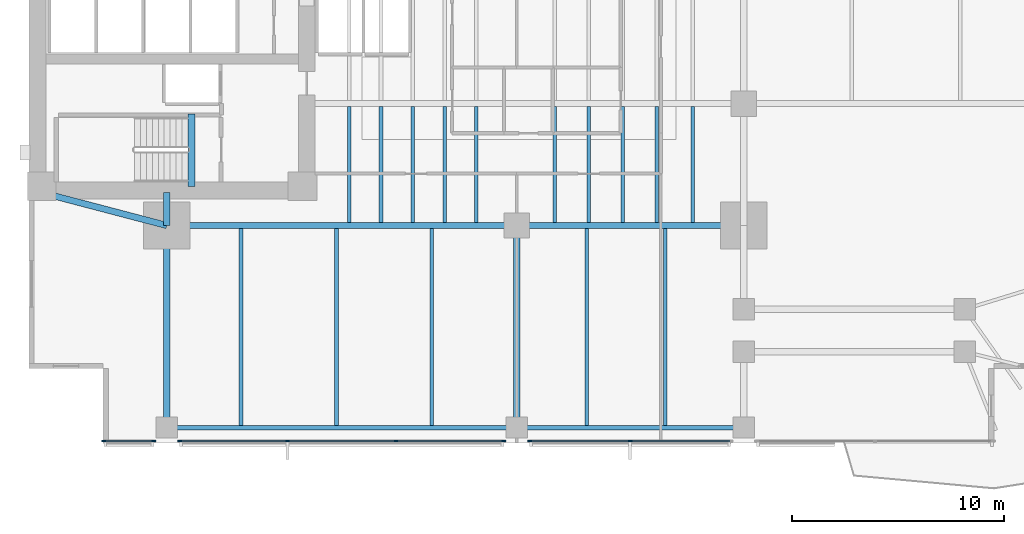
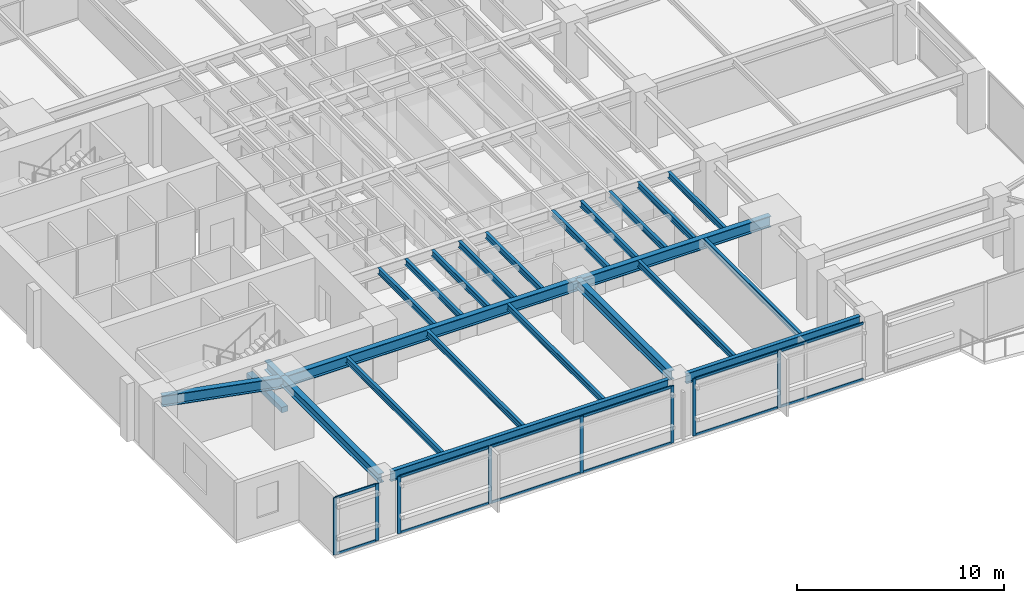
# One storey, part 2 of 15: 24 beams, 20 members, 3 elements without a shape of their own.
"""IFC4 building model written with IfcOpenShell, lengths in metres."""

from ifc_helpers import new_model, si_unit, direction, frame, origin, origin_2d, place, context, subcontext, project, spatial, rectangle, i_section, extrude, material, layer, layer_set, material_profile, profile_set, type_object, element, aggregate, save


model = new_model("IFC4")

# Units and contexts
model_context = context("Model", 3, precision=1e-05, world=origin(), true_north=direction((0.0, 1.0)))
body_context = subcontext(model_context, "Body", "Model", "MODEL_VIEW")
ifc_project = project(units=[si_unit("LENGTHUNIT", "METRE"), si_unit("AREAUNIT", "SQUARE_METRE"), si_unit("VOLUMEUNIT", "CUBIC_METRE"), si_unit("PLANEANGLEUNIT", "RADIAN"), si_unit("MASSUNIT", "GRAM", prefix="KILO")], contexts=[model_context])

# Site, building, storey
site_placement = place(None, origin())
site = spatial("IfcSite", under=ifc_project, at=site_placement, CompositionType="ELEMENT")
building_placement = place(site_placement, origin())
building = spatial("IfcBuilding", under=site, at=building_placement, Name="Kinhvarn Gate Tower", CompositionType="ELEMENT")
storey_placement = place(building_placement, frame((0.0, 0.0, 36.25)))
storey = spatial("IfcBuildingStorey", under=building, at=storey_placement, Name="L08", CompositionType="ELEMENT", Elevation=36.25)

# Beam
ifc_material_1 = material(Name="Concrete C50/60", Category="concrete")
ifc_material_profile_1 = material_profile(ifc_material_1, rectangle(XDim=0.340087890625, YDim=0.320068359375, at=origin_2d()), Name="RC 340x320")
ifc_profile_set_1 = profile_set([ifc_material_profile_1], Name="Concrete C50/60")
beam_type_1 = type_object("IfcBeamType", Name="BM-LND-500", PredefinedType="BEAM", material=ifc_profile_set_1)
beam_1_placement = place(storey_placement, frame((12.1650390625, 14.60009765625, -0.159912109375), z_axis=(0.0, 1.0, 0.0), x_axis=(-1.0, 0.0, 0.0)))
element("IfcBeam", 1, at=beam_1_placement, inside=storey, type_object=beam_type_1, Name="Stair ST1 Landing Nosing Beam (L08)", PredefinedType="BEAM", context=body_context, shape_type="SweptSolid", body=[
    extrude(rectangle(XDim=0.340087890625, YDim=0.320068359375, at=origin_2d()), origin(), (0.0, 0.0, 1.0), 3.39990234375),
])

# Curtain wall, members
ifc_material_2 = material(Name="Anodised aluminium AW-6063", Category="aluminium")
ifc_layer = layer(ifc_material_2, 0.179931640625)
ifc_layer_set = layer_set([ifc_layer], Name="Anodised aluminium AW-6063")
curtain_wall_type = type_object("IfcCurtainWallType", Name="CW-SYS-2", PredefinedType="NOTDEFINED", material=ifc_layer_set)
curtain_wall_1_placement = place(storey_placement, origin())
curtain_wall_1 = element("IfcCurtainWall", 2, at=curtain_wall_1_placement, inside=storey, type_object=curtain_wall_type, Name="Curtain Wall CW2 (L08)", PredefinedType="NOTDEFINED")
ifc_material_profile_2 = material_profile(ifc_material_2, rectangle(XDim=0.070068359375, YDim=0.179931640625, at=origin_2d()), Name="ALU 70x180")
ifc_profile_set_2 = profile_set([ifc_material_profile_2], Name="Anodised aluminium AW-6063")
member_type_1 = type_object("IfcMemberType", Name="CW-MUL-180", PredefinedType="MULLION", material=ifc_profile_set_2)
member_1_placement = place(storey_placement, frame((8.034912109375, 2.590087890625, 0.0), z_axis=(0.0, 0.0, 1.0), x_axis=(0.0, 1.0, 0.0)))
member_1 = element("IfcMember", 3, at=member_1_placement, type_object=member_type_1, Name="CW2 mullion 1", PredefinedType="MULLION", context=body_context, shape_type="SweptSolid", body=[
    extrude(rectangle(XDim=0.070068359375, YDim=0.179931640625, at=origin_2d()), origin(), (0.0, 0.0, 1.0), 3.3701171875),
])
member_2_placement = place(storey_placement, frame((10.385009765625, 2.590087890625, 0.0), z_axis=(0.0, 0.0, 1.0), x_axis=(0.0, 1.0, 0.0)))
member_2 = element("IfcMember", 4, at=member_2_placement, type_object=member_type_1, Name="CW2 mullion 2", PredefinedType="MULLION", context=body_context, shape_type="SweptSolid", body=[
    extrude(rectangle(XDim=0.070068359375, YDim=0.179931640625, at=origin_2d()), origin(), (0.0, 0.0, 1.0), 3.3701171875),
])

curtain_wall_2_placement = place(storey_placement, origin())
curtain_wall_2 = element("IfcCurtainWall", 5, at=curtain_wall_2_placement, inside=storey, type_object=curtain_wall_type, Name="Curtain Wall CW2 (L08)", PredefinedType="NOTDEFINED")
member_3_placement = place(storey_placement, frame((11.614990234375, 2.590087890625, 0.0), z_axis=(0.0, 0.0, 1.0), x_axis=(0.0, 1.0, 0.0)))
member_3 = element("IfcMember", 6, at=member_3_placement, type_object=member_type_1, Name="CW2 mullion 1", PredefinedType="MULLION", context=body_context, shape_type="SweptSolid", body=[
    extrude(rectangle(XDim=0.070068359375, YDim=0.179931640625, at=origin_2d()), origin(), (0.0, 0.0, 1.0), 3.3701171875),
])
member_4_placement = place(storey_placement, frame((16.693359375, 2.590087890625, 0.0), z_axis=(0.0, 0.0, 1.0), x_axis=(0.0, 1.0, 0.0)))
member_4 = element("IfcMember", 7, at=member_4_placement, type_object=member_type_1, Name="CW2 mullion 2", PredefinedType="MULLION", context=body_context, shape_type="SweptSolid", body=[
    extrude(rectangle(XDim=0.070068359375, YDim=0.179931640625, at=origin_2d()), origin(), (0.0, 0.0, 1.0), 3.3701171875),
])
member_5_placement = place(storey_placement, frame((21.806640625, 2.590087890625, 0.0), z_axis=(0.0, 0.0, 1.0), x_axis=(0.0, 1.0, 0.0)))
member_5 = element("IfcMember", 8, at=member_5_placement, type_object=member_type_1, Name="CW2 mullion 3", PredefinedType="MULLION", context=body_context, shape_type="SweptSolid", body=[
    extrude(rectangle(XDim=0.070068359375, YDim=0.179931640625, at=origin_2d()), origin(), (0.0, 0.0, 1.0), 3.3701171875),
])
member_6_placement = place(storey_placement, frame((26.885009765625, 2.590087890625, 0.0), z_axis=(0.0, 0.0, 1.0), x_axis=(0.0, 1.0, 0.0)))
member_6 = element("IfcMember", 9, at=member_6_placement, type_object=member_type_1, Name="CW2 mullion 4", PredefinedType="MULLION", context=body_context, shape_type="SweptSolid", body=[
    extrude(rectangle(XDim=0.070068359375, YDim=0.179931640625, at=origin_2d()), origin(), (0.0, 0.0, 1.0), 3.3701171875),
])

curtain_wall_3_placement = place(storey_placement, origin())
curtain_wall_3 = element("IfcCurtainWall", 10, at=curtain_wall_3_placement, inside=storey, type_object=curtain_wall_type, Name="Curtain Wall CW2 (L08)", PredefinedType="NOTDEFINED")
member_7_placement = place(storey_placement, frame((28.114990234375, 2.590087890625, 0.0), z_axis=(0.0, 0.0, 1.0), x_axis=(0.0, 1.0, 0.0)))
member_7 = element("IfcMember", 11, at=member_7_placement, type_object=member_type_1, Name="CW2 mullion 1", PredefinedType="MULLION", context=body_context, shape_type="SweptSolid", body=[
    extrude(rectangle(XDim=0.070068359375, YDim=0.179931640625, at=origin_2d()), origin(), (0.0, 0.0, 1.0), 3.3701171875),
])
member_8_placement = place(storey_placement, frame((32.85009765625, 2.590087890625, 0.0), z_axis=(0.0, 0.0, 1.0), x_axis=(0.0, 1.0, 0.0)))
member_8 = element("IfcMember", 12, at=member_8_placement, type_object=member_type_1, Name="CW2 mullion 2", PredefinedType="MULLION", context=body_context, shape_type="SweptSolid", body=[
    extrude(rectangle(XDim=0.070068359375, YDim=0.179931640625, at=origin_2d()), origin(), (0.0, 0.0, 1.0), 3.3701171875),
])

# Member
ifc_material_profile_3 = material_profile(ifc_material_2, rectangle(XDim=0.070068359375, YDim=0.139892578125, at=origin_2d()), Name="ALU 70x140")
ifc_profile_set_3 = profile_set([ifc_material_profile_3], Name="Anodised aluminium AW-6063")
member_type_2 = type_object("IfcMemberType", Name="CW-TRN-140", PredefinedType="USERDEFINED", material=ifc_profile_set_3)
member_9_placement = place(storey_placement, frame((8.070068359375, 2.590087890625, 0.034912109375), z_axis=(1.0, 0.0, 0.0), x_axis=(0.0, 1.0, 0.0)))
member_9 = element("IfcMember", 13, at=member_9_placement, type_object=member_type_2, Name="CW2 transom 1.1", ObjectType="TRANSOM", PredefinedType="USERDEFINED", context=body_context, shape_type="SweptSolid", body=[
    extrude(rectangle(XDim=0.070068359375, YDim=0.139892578125, at=origin_2d()), origin(), (0.0, 0.0, 1.0), 2.280029296875),
])

member_10_placement = place(storey_placement, frame((8.070068359375, 2.590087890625, 3.3349609375), z_axis=(1.0, 0.0, 0.0), x_axis=(0.0, 1.0, 0.0)))
member_10 = element("IfcMember", 14, at=member_10_placement, type_object=member_type_2, Name="CW2 transom 1.2", ObjectType="TRANSOM", PredefinedType="USERDEFINED", context=body_context, shape_type="SweptSolid", body=[
    extrude(rectangle(XDim=0.070068359375, YDim=0.139892578125, at=origin_2d()), origin(), (0.0, 0.0, 1.0), 2.280029296875),
])

aggregate(curtain_wall_1, [member_1, member_2, member_9, member_10])

member_11_placement = place(storey_placement, frame((11.64990234375, 2.590087890625, 0.034912109375), z_axis=(1.0, 0.0, 0.0), x_axis=(0.0, 1.0, 0.0)))
member_11 = element("IfcMember", 15, at=member_11_placement, type_object=member_type_2, Name="CW2 transom 1.1", ObjectType="TRANSOM", PredefinedType="USERDEFINED", context=body_context, shape_type="SweptSolid", body=[
    extrude(rectangle(XDim=0.070068359375, YDim=0.139892578125, at=origin_2d()), origin(), (0.0, 0.0, 1.0), 5.008544921875),
])

member_12_placement = place(storey_placement, frame((11.64990234375, 2.590087890625, 3.3349609375), z_axis=(1.0, 0.0, 0.0), x_axis=(0.0, 1.0, 0.0)))
member_12 = element("IfcMember", 16, at=member_12_placement, type_object=member_type_2, Name="CW2 transom 1.2", ObjectType="TRANSOM", PredefinedType="USERDEFINED", context=body_context, shape_type="SweptSolid", body=[
    extrude(rectangle(XDim=0.070068359375, YDim=0.139892578125, at=origin_2d()), origin(), (0.0, 0.0, 1.0), 5.008544921875),
])

member_13_placement = place(storey_placement, frame((16.728271484375, 2.590087890625, 0.034912109375), z_axis=(1.0, 0.0, 0.0), x_axis=(0.0, 1.0, 0.0)))
member_13 = element("IfcMember", 17, at=member_13_placement, type_object=member_type_2, Name="CW2 transom 2.1", ObjectType="TRANSOM", PredefinedType="USERDEFINED", context=body_context, shape_type="SweptSolid", body=[
    extrude(rectangle(XDim=0.070068359375, YDim=0.139892578125, at=origin_2d()), origin(), (0.0, 0.0, 1.0), 5.04345703125),
])

member_14_placement = place(storey_placement, frame((16.728271484375, 2.590087890625, 3.3349609375), z_axis=(1.0, 0.0, 0.0), x_axis=(0.0, 1.0, 0.0)))
member_14 = element("IfcMember", 18, at=member_14_placement, type_object=member_type_2, Name="CW2 transom 2.2", ObjectType="TRANSOM", PredefinedType="USERDEFINED", context=body_context, shape_type="SweptSolid", body=[
    extrude(rectangle(XDim=0.070068359375, YDim=0.139892578125, at=origin_2d()), origin(), (0.0, 0.0, 1.0), 5.04345703125),
])

member_15_placement = place(storey_placement, frame((21.841552734375, 2.590087890625, 0.034912109375), z_axis=(1.0, 0.0, 0.0), x_axis=(0.0, 1.0, 0.0)))
member_15 = element("IfcMember", 19, at=member_15_placement, type_object=member_type_2, Name="CW2 transom 3.1", ObjectType="TRANSOM", PredefinedType="USERDEFINED", context=body_context, shape_type="SweptSolid", body=[
    extrude(rectangle(XDim=0.070068359375, YDim=0.139892578125, at=origin_2d()), origin(), (0.0, 0.0, 1.0), 5.008544921875),
])

member_16_placement = place(storey_placement, frame((21.841552734375, 2.590087890625, 3.3349609375), z_axis=(1.0, 0.0, 0.0), x_axis=(0.0, 1.0, 0.0)))
member_16 = element("IfcMember", 20, at=member_16_placement, type_object=member_type_2, Name="CW2 transom 3.2", ObjectType="TRANSOM", PredefinedType="USERDEFINED", context=body_context, shape_type="SweptSolid", body=[
    extrude(rectangle(XDim=0.070068359375, YDim=0.139892578125, at=origin_2d()), origin(), (0.0, 0.0, 1.0), 5.008544921875),
])

aggregate(curtain_wall_2, [member_3, member_4, member_5, member_6, member_11, member_12, member_13, member_14, member_15, member_16])

member_17_placement = place(storey_placement, frame((28.14990234375, 2.590087890625, 0.034912109375), z_axis=(1.0, 0.0, 0.0), x_axis=(0.0, 1.0, 0.0)))
member_17 = element("IfcMember", 21, at=member_17_placement, type_object=member_type_2, Name="CW2 transom 1.1", ObjectType="TRANSOM", PredefinedType="USERDEFINED", context=body_context, shape_type="SweptSolid", body=[
    extrude(rectangle(XDim=0.070068359375, YDim=0.139892578125, at=origin_2d()), origin(), (0.0, 0.0, 1.0), 4.6650390625),
])

member_18_placement = place(storey_placement, frame((28.14990234375, 2.590087890625, 3.3349609375), z_axis=(1.0, 0.0, 0.0), x_axis=(0.0, 1.0, 0.0)))
member_18 = element("IfcMember", 22, at=member_18_placement, type_object=member_type_2, Name="CW2 transom 1.2", ObjectType="TRANSOM", PredefinedType="USERDEFINED", context=body_context, shape_type="SweptSolid", body=[
    extrude(rectangle(XDim=0.070068359375, YDim=0.139892578125, at=origin_2d()), origin(), (0.0, 0.0, 1.0), 4.6650390625),
])

member_19_placement = place(storey_placement, frame((32.885009765625, 2.590087890625, 0.034912109375), z_axis=(1.0, 0.0, 0.0), x_axis=(0.0, 1.0, 0.0)))
member_19 = element("IfcMember", 23, at=member_19_placement, type_object=member_type_2, Name="CW2 transom 2.1", ObjectType="TRANSOM", PredefinedType="USERDEFINED", context=body_context, shape_type="SweptSolid", body=[
    extrude(rectangle(XDim=0.070068359375, YDim=0.139892578125, at=origin_2d()), origin(), (0.0, 0.0, 1.0), 4.6650390625),
])

member_20_placement = place(storey_placement, frame((32.885009765625, 2.590087890625, 3.3349609375), z_axis=(1.0, 0.0, 0.0), x_axis=(0.0, 1.0, 0.0)))
member_20 = element("IfcMember", 24, at=member_20_placement, type_object=member_type_2, Name="CW2 transom 2.2", ObjectType="TRANSOM", PredefinedType="USERDEFINED", context=body_context, shape_type="SweptSolid", body=[
    extrude(rectangle(XDim=0.070068359375, YDim=0.139892578125, at=origin_2d()), origin(), (0.0, 0.0, 1.0), 4.6650390625),
])

aggregate(curtain_wall_3, [member_7, member_8, member_17, member_18, member_19, member_20])

# Beams
ifc_material_3 = material(Name="Steel S355", Category="steel")
ifc_material_profile_4 = material_profile(ifc_material_3, i_section(OverallWidth=0.300048828125, OverallDepth=0.550048828125, WebThickness=0.014892578125, FlangeThickness=0.029052734375, at=origin_2d()), Name="HEB 550")
ifc_profile_set_4 = profile_set([ifc_material_profile_4], Name="Steel S355")
beam_type_2 = type_object("IfcBeamType", Name="STL-HEB550", PredefinedType="BEAM", material=ifc_profile_set_4)
beam_2_placement = place(storey_placement, frame((11.0, 3.219970703125, 3.094970703125), z_axis=(0.0, 1.0, 0.0), x_axis=(-1.0, 0.0, 0.0)))
element("IfcBeam", 25, at=beam_2_placement, inside=storey, type_object=beam_type_2, Name="Floor Beam PG-15 (L08 MCW-S)", PredefinedType="BEAM", context=body_context, shape_type="SweptSolid", body=[
    extrude(i_section(OverallWidth=0.300048828125, OverallDepth=0.550048828125, WebThickness=0.014892578125, FlangeThickness=0.029052734375, at=origin_2d()), origin(), (0.0, 0.0, 1.0), 9.530029296875),
])
beam_3_placement = place(storey_placement, frame((11.0, 12.75, 3.094970703125), z_axis=(0.0, 1.0, 0.0), x_axis=(-1.0, 0.0, 0.0)))
element("IfcBeam", 26, at=beam_3_placement, inside=storey, type_object=beam_type_2, Name="Floor Beam PG-15 (L08 MCW-CS)", PredefinedType="BEAM", context=body_context, shape_type="SweptSolid", body=[
    extrude(i_section(OverallWidth=0.300048828125, OverallDepth=0.550048828125, WebThickness=0.014892578125, FlangeThickness=0.029052734375, at=origin_2d()), origin(), (0.0, 0.0, 1.0), 1.550048828125),
])
beam_4_placement = place(storey_placement, frame((27.5, 3.705078125, 3.094970703125), z_axis=(0.0, 1.0, 0.0), x_axis=(-1.0, 0.0, 0.0)))
element("IfcBeam", 27, at=beam_4_placement, inside=storey, type_object=beam_type_2, Name="Floor Beam PG-15 (L08 SP27-S-TIE)", PredefinedType="BEAM", context=body_context, shape_type="SweptSolid", body=[
    extrude(i_section(OverallWidth=0.300048828125, OverallDepth=0.550048828125, WebThickness=0.014892578125, FlangeThickness=0.029052734375, at=origin_2d()), origin(), (0.0, 0.0, 1.0), 9.044921875),
])
ifc_material_profile_5 = material_profile(ifc_material_3, i_section(OverallWidth=0.300048828125, OverallDepth=0.64990234375, WebThickness=0.01611328125, FlangeThickness=0.031005859375, at=origin_2d()), Name="HEB 650")
ifc_profile_set_5 = profile_set([ifc_material_profile_5], Name="Steel S355")
beam_type_3 = type_object("IfcBeamType", Name="STL-HEB650", PredefinedType="BEAM", material=ifc_profile_set_5)
beam_5_placement = place(storey_placement, frame((11.0, 12.75, 3.044921875), z_axis=(1.0, 0.0, 0.0), x_axis=(0.0, 1.0, 0.0)))
element("IfcBeam", 28, at=beam_5_placement, inside=storey, type_object=beam_type_3, Name="Floor Beam PG-17 (L08 MG-S1)", PredefinedType="BEAM", context=body_context, shape_type="SweptSolid", body=[
    extrude(i_section(OverallWidth=0.300048828125, OverallDepth=0.64990234375, WebThickness=0.01611328125, FlangeThickness=0.031005859375, at=origin_2d()), origin(), (0.0, 0.0, 1.0), 16.5),
])
beam_6_placement = place(storey_placement, frame((27.5, 12.75, 3.044921875), z_axis=(1.0, 0.0, 0.0), x_axis=(0.0, 1.0, 0.0)))
element("IfcBeam", 29, at=beam_6_placement, inside=storey, type_object=beam_type_3, Name="Floor Beam PG-17 (L08 MG-S2)", PredefinedType="BEAM", context=body_context, shape_type="SweptSolid", body=[
    extrude(i_section(OverallWidth=0.300048828125, OverallDepth=0.64990234375, WebThickness=0.01611328125, FlangeThickness=0.031005859375, at=origin_2d()), origin(), (0.0, 0.0, 1.0), 10.699951171875),
])
beam_7_placement = place(storey_placement, frame((5.10009765625, 14.300048828125, 3.044921875), z_axis=(0.967177623957, -0.254101246979, 0.0), x_axis=(0.254101246979, 0.967177623957, 0.0)))
element("IfcBeam", 30, at=beam_7_placement, inside=storey, type_object=beam_type_3, Name="Floor Beam PG-17 (L08 MG-SW-DIAG)", PredefinedType="BEAM", context=body_context, shape_type="SweptSolid", body=[
    extrude(i_section(OverallWidth=0.300048828125, OverallDepth=0.64990234375, WebThickness=0.01611328125, FlangeThickness=0.031005859375, at=origin_2d()), origin(), (0.0, 0.0, 1.0), 6.10009765625),
])
ifc_material_profile_6 = material_profile(ifc_material_3, i_section(OverallWidth=0.169921875, OverallDepth=0.360107421875, WebThickness=0.008056640625, FlangeThickness=0.0126953125, at=origin_2d()), Name="IPE 360")
ifc_profile_set_6 = profile_set([ifc_material_profile_6], Name="Steel S355")
beam_type_4 = type_object("IfcBeamType", Name="STL-IPE360", PredefinedType="JOIST", material=ifc_profile_set_6)
for number, where, z_axis, x_axis, name in (
    (31, (19.60009765625, 12.89990234375, 3.18994140625), (0.0, 1.0, 0.0), (-1.0, 0.0, 0.0), "Floor Joist SB-04 (L08 JC-X196-0)"),
    (32, (21.10009765625, 12.89990234375, 3.18994140625), (0.0, 1.0, 0.0), (-1.0, 0.0, 0.0), "Floor Joist SB-04 (L08 JC-X211-0)"),
    (33, (22.60009765625, 12.89990234375, 3.18994140625), (0.0, 1.0, 0.0), (-1.0, 0.0, 0.0), "Floor Joist SB-04 (L08 JC-X226-0)"),
    (34, (24.10009765625, 12.89990234375, 3.18994140625), (0.0, 1.0, 0.0), (-1.0, 0.0, 0.0), "Floor Joist SB-04 (L08 JC-X241-0)"),
    (35, (25.60009765625, 12.89990234375, 3.18994140625), (0.0, 1.0, 0.0), (-1.0, 0.0, 0.0), "Floor Joist SB-04 (L08 JC-X256-0)"),
    (36, (29.300048828125, 12.89990234375, 3.18994140625), (0.0, 1.0, 0.0), (-1.0, 0.0, 0.0), "Floor Joist SB-04 (L08 JC-X293-0)"),
    (37, (30.89990234375, 12.89990234375, 3.18994140625), (0.0, 1.0, 0.0), (-1.0, 0.0, 0.0), "Floor Joist SB-04 (L08 JC-X309-0)"),
    (38, (32.5, 12.89990234375, 3.18994140625), (0.0, 1.0, 0.0), (-1.0, 0.0, 0.0), "Floor Joist SB-04 (L08 JC-X325-0)"),
    (39, (34.10009765625, 12.89990234375, 3.18994140625), (0.0, 1.0, 0.0), (-1.0, 0.0, 0.0), "Floor Joist SB-04 (L08 JC-X341-0)"),
    (40, (35.800048828125, 12.89990234375, 3.18994140625), (0.0, 1.0, 0.0), (-1.0, 0.0, 0.0), "Floor Joist SB-04 (L08 JC-X358-0)"),
):
    element("IfcBeam", number, at=place(storey_placement, frame(where, z_axis=z_axis, x_axis=x_axis)), inside=storey, type_object=beam_type_4, Name=name, PredefinedType="JOIST", context=body_context, shape_type="SweptSolid", body=[
        extrude(i_section(OverallWidth=0.169921875, OverallDepth=0.360107421875, WebThickness=0.008056640625, FlangeThickness=0.0126953125, at=origin_2d()), origin(), (0.0, 0.0, 1.0), 5.4501953125),
    ])
for number, where, z_axis, x_axis, name in (
    (41, (14.5, 3.330078125, 3.18994140625), (0.0, 1.0, 0.0), (-1.0, 0.0, 0.0), "Floor Joist SB-04 (L08 JS-X145)"),
    (42, (19.0, 3.330078125, 3.18994140625), (0.0, 1.0, 0.0), (-1.0, 0.0, 0.0), "Floor Joist SB-04 (L08 JS-X190)"),
    (43, (23.5, 3.330078125, 3.18994140625), (0.0, 1.0, 0.0), (-1.0, 0.0, 0.0), "Floor Joist SB-04 (L08 JS-X235)"),
    (44, (30.800048828125, 3.330078125, 3.18994140625), (0.0, 1.0, 0.0), (-1.0, 0.0, 0.0), "Floor Joist SB-04 (L08 JS-X308)"),
    (45, (34.5, 3.330078125, 3.18994140625), (0.0, 1.0, 0.0), (-1.0, 0.0, 0.0), "Floor Joist SB-04 (L08 JS-X345)"),
):
    element("IfcBeam", number, at=place(storey_placement, frame(where, z_axis=z_axis, x_axis=x_axis)), inside=storey, type_object=beam_type_4, Name=name, PredefinedType="JOIST", context=body_context, shape_type="SweptSolid", body=[
        extrude(i_section(OverallWidth=0.169921875, OverallDepth=0.360107421875, WebThickness=0.008056640625, FlangeThickness=0.0126953125, at=origin_2d()), origin(), (0.0, 0.0, 1.0), 9.27001953125),
    ])
ifc_material_profile_7 = material_profile(ifc_material_3, i_section(OverallWidth=0.219970703125, OverallDepth=0.60009765625, WebThickness=0.011962890625, FlangeThickness=0.01904296875, at=origin_2d()), Name="IPE 600")
ifc_profile_set_7 = profile_set([ifc_material_profile_7], Name="Steel S355")
beam_type_5 = type_object("IfcBeamType", Name="STL-IPE600", PredefinedType="SPANDREL", material=ifc_profile_set_7)
beam_8_placement = place(storey_placement, frame((11.485107421875, 3.219970703125, 3.070068359375), z_axis=(1.0, 0.0, 0.0), x_axis=(0.0, 1.0, 0.0)))
element("IfcBeam", 46, at=beam_8_placement, inside=storey, type_object=beam_type_5, Name="Floor Spandrel SB-09 (L08 SP-S1)", PredefinedType="SPANDREL", context=body_context, shape_type="SweptSolid", body=[
    extrude(i_section(OverallWidth=0.219970703125, OverallDepth=0.60009765625, WebThickness=0.011962890625, FlangeThickness=0.01904296875, at=origin_2d()), origin(), (0.0, 0.0, 1.0), 15.52978515625),
])
beam_9_placement = place(storey_placement, frame((27.985107421875, 3.219970703125, 3.070068359375), z_axis=(1.0, 0.0, 0.0), x_axis=(0.0, 1.0, 0.0)))
element("IfcBeam", 47, at=beam_9_placement, inside=storey, type_object=beam_type_5, Name="Floor Spandrel SB-09 (L08 SP-S2)", PredefinedType="SPANDREL", context=body_context, shape_type="SweptSolid", body=[
    extrude(i_section(OverallWidth=0.219970703125, OverallDepth=0.60009765625, WebThickness=0.011962890625, FlangeThickness=0.01904296875, at=origin_2d()), origin(), (0.0, 0.0, 1.0), 9.72998046875),
])

save(model, "model.ifc")
